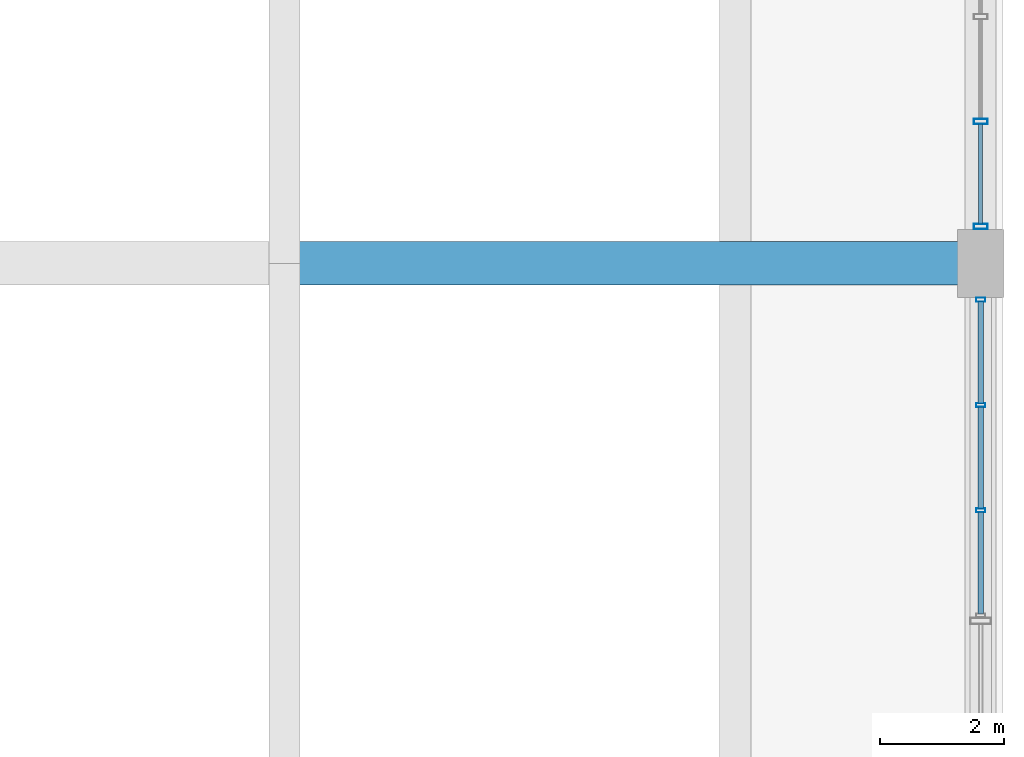
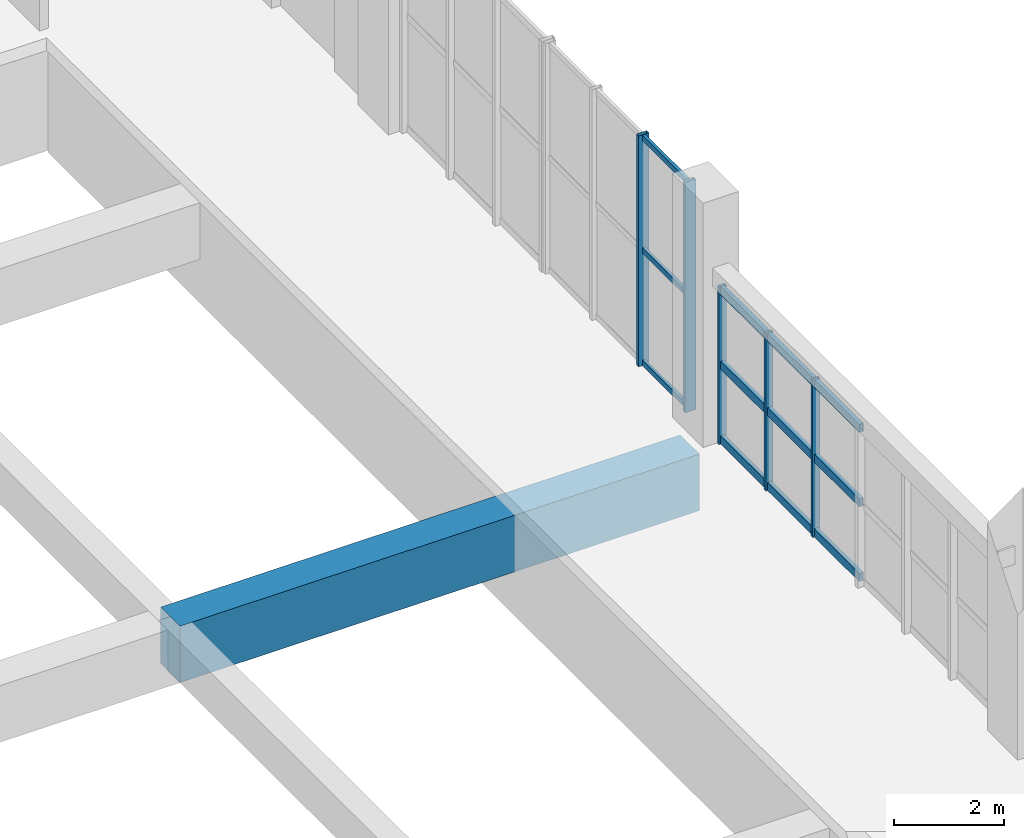
# One storey, part 66 of 113: 17 members, 1 beam, 2 elements without a shape of their own.
"""IFC4 building model written with IfcOpenShell, lengths in metres."""

from ifc_helpers import new_model, si_unit, direction, frame, origin, origin_2d, place, context, subcontext, project, spatial, rectangle, hollow_rectangle, extrude, material, layer, layer_set, material_profile, profile_set, type_object, element, aggregate, save


model = new_model("IFC4")

# Units and contexts
model_context = context("Model", 3, precision=1e-05, world=origin(), true_north=direction((0.0, 1.0)))
body_context = subcontext(model_context, "Body", "Model", "MODEL_VIEW")
ifc_project = project(units=[si_unit("LENGTHUNIT", "METRE"), si_unit("AREAUNIT", "SQUARE_METRE"), si_unit("VOLUMEUNIT", "CUBIC_METRE"), si_unit("PLANEANGLEUNIT", "RADIAN"), si_unit("MASSUNIT", "GRAM", prefix="KILO"), si_unit("POWERUNIT", "WATT"), si_unit("THERMODYNAMICTEMPERATUREUNIT", "KELVIN")], contexts=[model_context])

# Site, building, storey
site_placement = place(None, origin())
site = spatial("IfcSite", under=ifc_project, at=site_placement, CompositionType="ELEMENT")
building_placement = place(site_placement, origin())
building = spatial("IfcBuilding", under=site, at=building_placement, Name="Kelmbourne Parkland Aquatics Centre", CompositionType="ELEMENT")
storey_placement = place(building_placement, origin())
storey = spatial("IfcBuildingStorey", under=building, at=storey_placement, Name="L00", CompositionType="ELEMENT", Elevation=0.0)

# Beam
ifc_material_1 = material(Name="Concrete C50/60", Category="concrete")
ifc_material_profile_1 = material_profile(ifc_material_1, rectangle(XDim=0.699951171875, YDim=1.25, at=origin_2d()), Name="RC 700x1250")
ifc_profile_set_1 = profile_set([ifc_material_profile_1], Name="Concrete C50/60")
beam_type = type_object("IfcBeamType", Name="BM-G08", PredefinedType="BEAM", material=ifc_profile_set_1)
beam_placement = place(storey_placement, frame((164.0, 69.199951171875, -0.905029296875), z_axis=(1.0, 0.0, 0.0), x_axis=(0.0, 1.0, 0.0)))
element("IfcBeam", 1, at=beam_placement, inside=storey, type_object=beam_type, Name="Primary girder S-T Grid 10 (L00)", PredefinedType="BEAM", context=body_context, shape_type="SweptSolid", body=[
    extrude(rectangle(XDim=0.699951171875, YDim=1.25, at=origin_2d()), origin(), (0.0, 0.0, 1.0), 10.8701171875),
])

# Curtain wall, members
ifc_material_2 = material(Name="Thermally broken anodised aluminium framing", Category="aluminium")
ifc_layer_1 = layer(ifc_material_2, 0.179931640625)
ifc_layer_set_1 = layer_set([ifc_layer_1], Name="Thermally broken anodised aluminium framing")
curtain_wall_type_1 = type_object("IfcCurtainWallType", Name="CW-02", PredefinedType="NOTDEFINED", material=ifc_layer_set_1)
curtain_wall_1_placement = place(storey_placement, origin())
curtain_wall_1 = element("IfcCurtainWall", 2, at=curtain_wall_1_placement, inside=storey, type_object=curtain_wall_type_1, Name="Facade curtain wall CW-L00-050", PredefinedType="NOTDEFINED")
ifc_material_profile_2 = material_profile(ifc_material_2, hollow_rectangle(XDim=0.06494140625, YDim=0.14990234375, WallThickness=0.00390625, at=origin_2d()), Name="CW-M 65x150")
ifc_profile_set_2 = profile_set([ifc_material_profile_2], Name="Thermally broken anodised aluminium framing")
member_type_1 = type_object("IfcMemberType", Name="MB-MUL-1", PredefinedType="MULLION", material=ifc_profile_set_2)
member_1_placement = place(storey_placement, frame((175.199951171875, 65.226806640625, 0.0), z_axis=(0.0, 0.0, 1.0), x_axis=(0.0, 1.0, 0.0)))
member_1 = element("IfcMember", 3, at=member_1_placement, type_object=member_type_1, Name="CW-L00-050 mullion 1", PredefinedType="MULLION", context=body_context, shape_type="SweptSolid", body=[
    extrude(hollow_rectangle(XDim=0.06494140625, YDim=0.14990234375, WallThickness=0.00390625, at=origin_2d()), origin(), (0.0, 0.0, 1.0), 3.485107421875),
])
member_2_placement = place(storey_placement, frame((175.199951171875, 66.921142578125, 0.0), z_axis=(0.0, 0.0, 1.0), x_axis=(0.0, 1.0, 0.0)))
member_2 = element("IfcMember", 4, at=member_2_placement, type_object=member_type_1, Name="CW-L00-050 mullion 2", PredefinedType="MULLION", context=body_context, shape_type="SweptSolid", body=[
    extrude(hollow_rectangle(XDim=0.06494140625, YDim=0.14990234375, WallThickness=0.00390625, at=origin_2d()), origin(), (0.0, 0.0, 1.0), 3.485107421875),
])
member_3_placement = place(storey_placement, frame((175.199951171875, 68.615478515625, 0.0), z_axis=(0.0, 0.0, 1.0), x_axis=(0.0, 1.0, 0.0)))
member_3 = element("IfcMember", 5, at=member_3_placement, type_object=member_type_1, Name="CW-L00-050 mullion 3", PredefinedType="MULLION", context=body_context, shape_type="SweptSolid", body=[
    extrude(hollow_rectangle(XDim=0.06494140625, YDim=0.14990234375, WallThickness=0.00390625, at=origin_2d()), origin(), (0.0, 0.0, 1.0), 3.485107421875),
])

ifc_layer_2 = layer(ifc_material_2, 0.179931640625)
ifc_layer_set_2 = layer_set([ifc_layer_2], Name="Thermally broken anodised aluminium framing")
curtain_wall_type_2 = type_object("IfcCurtainWallType", Name="CW-09", PredefinedType="NOTDEFINED", material=ifc_layer_set_2)
curtain_wall_2_placement = place(storey_placement, origin())
curtain_wall_2 = element("IfcCurtainWall", 6, at=curtain_wall_2_placement, inside=storey, type_object=curtain_wall_type_2, Name="Facade curtain wall CW-L00-057", PredefinedType="NOTDEFINED")
ifc_material_profile_3 = material_profile(ifc_material_2, hollow_rectangle(XDim=0.0849609375, YDim=0.219970703125, WallThickness=0.0048828125, at=origin_2d()), Name="CW-M 85x220")
ifc_profile_set_3 = profile_set([ifc_material_profile_3], Name="Thermally broken anodised aluminium framing")
member_type_2 = type_object("IfcMemberType", Name="MB-MUL-3", PredefinedType="MULLION", material=ifc_profile_set_3)
member_4_placement = place(storey_placement, frame((175.199951171875, 69.79443359375, 0.0), z_axis=(0.0, 0.0, 1.0), x_axis=(0.0, 1.0, 0.0)))
member_4 = element("IfcMember", 7, at=member_4_placement, type_object=member_type_2, Name="CW-L00-057 mullion 0", PredefinedType="MULLION", context=body_context, shape_type="SweptSolid", body=[
    extrude(hollow_rectangle(XDim=0.0849609375, YDim=0.219970703125, WallThickness=0.0048828125, at=origin_2d()), origin(), (0.0, 0.0, 1.0), 5.10009765625),
])
member_5_placement = place(storey_placement, frame((175.199951171875, 71.482177734375, 0.0), z_axis=(0.0, 0.0, 1.0), x_axis=(0.0, 1.0, 0.0)))
member_5 = element("IfcMember", 8, at=member_5_placement, type_object=member_type_2, Name="CW-L00-057 mullion 1", PredefinedType="MULLION", context=body_context, shape_type="SweptSolid", body=[
    extrude(hollow_rectangle(XDim=0.0849609375, YDim=0.219970703125, WallThickness=0.0048828125, at=origin_2d()), origin(), (0.0, 0.0, 1.0), 5.10009765625),
])
ifc_material_profile_4 = material_profile(ifc_material_2, hollow_rectangle(XDim=0.06494140625, YDim=0.1201171875, WallThickness=0.00341796875, at=origin_2d()), Name="CW-T 65x120")
ifc_profile_set_4 = profile_set([ifc_material_profile_4], Name="Thermally broken anodised aluminium framing")
member_type_3 = type_object("IfcMemberType", Name="MB-TRN-1", PredefinedType="USERDEFINED", material=ifc_profile_set_4)
member_6_placement = place(storey_placement, frame((175.199951171875, 69.8330078125, 0.06298828125), z_axis=(0.0, 1.0, 0.0), x_axis=(-1.0, 0.0, 0.0)))
member_6 = element("IfcMember", 9, at=member_6_placement, type_object=member_type_3, Name="CW-L00-057 transom 0-0", ObjectType="TRANSOM", PredefinedType="USERDEFINED", context=body_context, shape_type="SweptSolid", body=[
    extrude(hollow_rectangle(XDim=0.06494140625, YDim=0.1201171875, WallThickness=0.00341796875, at=origin_2d()), origin(), (0.0, 0.0, 1.0), 1.610595703125),
])
member_7_placement = place(storey_placement, frame((175.199951171875, 69.8330078125, 2.550048828125), z_axis=(0.0, 1.0, 0.0), x_axis=(-1.0, 0.0, 0.0)))
member_7 = element("IfcMember", 10, at=member_7_placement, type_object=member_type_3, Name="CW-L00-057 transom 1-0", ObjectType="TRANSOM", PredefinedType="USERDEFINED", context=body_context, shape_type="SweptSolid", body=[
    extrude(hollow_rectangle(XDim=0.06494140625, YDim=0.1201171875, WallThickness=0.00341796875, at=origin_2d()), origin(), (0.0, 0.0, 1.0), 1.610595703125),
])
member_8_placement = place(storey_placement, frame((175.199951171875, 69.8330078125, 5.037109375), z_axis=(0.0, 1.0, 0.0), x_axis=(-1.0, 0.0, 0.0)))
member_8 = element("IfcMember", 11, at=member_8_placement, type_object=member_type_3, Name="CW-L00-057 transom 2-0", ObjectType="TRANSOM", PredefinedType="USERDEFINED", context=body_context, shape_type="SweptSolid", body=[
    extrude(hollow_rectangle(XDim=0.06494140625, YDim=0.1201171875, WallThickness=0.00341796875, at=origin_2d()), origin(), (0.0, 0.0, 1.0), 1.610595703125),
])
aggregate(curtain_wall_2, [member_4, member_5, member_6, member_7, member_8])

# Member
ifc_material_profile_5 = material_profile(ifc_material_2, hollow_rectangle(XDim=0.0849609375, YDim=0.179931640625, WallThickness=0.00439453125, at=origin_2d()), Name="CW-T 85x180")
ifc_profile_set_5 = profile_set([ifc_material_profile_5], Name="Thermally broken anodised aluminium framing")
member_type_4 = type_object("IfcMemberType", Name="MB-TRN-3", PredefinedType="USERDEFINED", material=ifc_profile_set_5)
member_9_placement = place(storey_placement, frame((175.199951171875, 63.56103515625, 0.093017578125), z_axis=(0.0, 1.0, 0.0), x_axis=(-1.0, 0.0, 0.0)))
member_9 = element("IfcMember", 12, at=member_9_placement, type_object=member_type_4, Name="CW-L00-050 transom 0-0", ObjectType="TRANSOM", PredefinedType="USERDEFINED", context=body_context, shape_type="SweptSolid", body=[
    extrude(hollow_rectangle(XDim=0.0849609375, YDim=0.179931640625, WallThickness=0.00439453125, at=origin_2d()), origin(), (0.0, 0.0, 1.0), 1.63720703125),
])

member_10_placement = place(storey_placement, frame((175.199951171875, 65.25537109375, 0.093017578125), z_axis=(0.0, 1.0, 0.0), x_axis=(-1.0, 0.0, 0.0)))
member_10 = element("IfcMember", 13, at=member_10_placement, type_object=member_type_4, Name="CW-L00-050 transom 0-1", ObjectType="TRANSOM", PredefinedType="USERDEFINED", context=body_context, shape_type="SweptSolid", body=[
    extrude(hollow_rectangle(XDim=0.0849609375, YDim=0.179931640625, WallThickness=0.00439453125, at=origin_2d()), origin(), (0.0, 0.0, 1.0), 1.63720703125),
])

member_11_placement = place(storey_placement, frame((175.199951171875, 66.94970703125, 0.093017578125), z_axis=(0.0, 1.0, 0.0), x_axis=(-1.0, 0.0, 0.0)))
member_11 = element("IfcMember", 14, at=member_11_placement, type_object=member_type_4, Name="CW-L00-050 transom 0-2", ObjectType="TRANSOM", PredefinedType="USERDEFINED", context=body_context, shape_type="SweptSolid", body=[
    extrude(hollow_rectangle(XDim=0.0849609375, YDim=0.179931640625, WallThickness=0.00439453125, at=origin_2d()), origin(), (0.0, 0.0, 1.0), 1.63720703125),
])

member_12_placement = place(storey_placement, frame((175.199951171875, 63.56103515625, 1.742431640625), z_axis=(0.0, 1.0, 0.0), x_axis=(-1.0, 0.0, 0.0)))
member_12 = element("IfcMember", 15, at=member_12_placement, type_object=member_type_4, Name="CW-L00-050 transom 1-0", ObjectType="TRANSOM", PredefinedType="USERDEFINED", context=body_context, shape_type="SweptSolid", body=[
    extrude(hollow_rectangle(XDim=0.0849609375, YDim=0.179931640625, WallThickness=0.00439453125, at=origin_2d()), origin(), (0.0, 0.0, 1.0), 1.63720703125),
])

member_13_placement = place(storey_placement, frame((175.199951171875, 65.25537109375, 1.742431640625), z_axis=(0.0, 1.0, 0.0), x_axis=(-1.0, 0.0, 0.0)))
member_13 = element("IfcMember", 16, at=member_13_placement, type_object=member_type_4, Name="CW-L00-050 transom 1-1", ObjectType="TRANSOM", PredefinedType="USERDEFINED", context=body_context, shape_type="SweptSolid", body=[
    extrude(hollow_rectangle(XDim=0.0849609375, YDim=0.179931640625, WallThickness=0.00439453125, at=origin_2d()), origin(), (0.0, 0.0, 1.0), 1.63720703125),
])

member_14_placement = place(storey_placement, frame((175.199951171875, 66.94970703125, 1.742431640625), z_axis=(0.0, 1.0, 0.0), x_axis=(-1.0, 0.0, 0.0)))
member_14 = element("IfcMember", 17, at=member_14_placement, type_object=member_type_4, Name="CW-L00-050 transom 1-2", ObjectType="TRANSOM", PredefinedType="USERDEFINED", context=body_context, shape_type="SweptSolid", body=[
    extrude(hollow_rectangle(XDim=0.0849609375, YDim=0.179931640625, WallThickness=0.00439453125, at=origin_2d()), origin(), (0.0, 0.0, 1.0), 1.63720703125),
])

member_15_placement = place(storey_placement, frame((175.199951171875, 63.56103515625, 3.39208984375), z_axis=(0.0, 1.0, 0.0), x_axis=(-1.0, 0.0, 0.0)))
member_15 = element("IfcMember", 18, at=member_15_placement, type_object=member_type_4, Name="CW-L00-050 transom 2-0", ObjectType="TRANSOM", PredefinedType="USERDEFINED", context=body_context, shape_type="SweptSolid", body=[
    extrude(hollow_rectangle(XDim=0.0849609375, YDim=0.179931640625, WallThickness=0.00439453125, at=origin_2d()), origin(), (0.0, 0.0, 1.0), 1.63720703125),
])

member_16_placement = place(storey_placement, frame((175.199951171875, 65.25537109375, 3.39208984375), z_axis=(0.0, 1.0, 0.0), x_axis=(-1.0, 0.0, 0.0)))
member_16 = element("IfcMember", 19, at=member_16_placement, type_object=member_type_4, Name="CW-L00-050 transom 2-1", ObjectType="TRANSOM", PredefinedType="USERDEFINED", context=body_context, shape_type="SweptSolid", body=[
    extrude(hollow_rectangle(XDim=0.0849609375, YDim=0.179931640625, WallThickness=0.00439453125, at=origin_2d()), origin(), (0.0, 0.0, 1.0), 1.63720703125),
])

member_17_placement = place(storey_placement, frame((175.199951171875, 66.94970703125, 3.39208984375), z_axis=(0.0, 1.0, 0.0), x_axis=(-1.0, 0.0, 0.0)))
member_17 = element("IfcMember", 20, at=member_17_placement, type_object=member_type_4, Name="CW-L00-050 transom 2-2", ObjectType="TRANSOM", PredefinedType="USERDEFINED", context=body_context, shape_type="SweptSolid", body=[
    extrude(hollow_rectangle(XDim=0.0849609375, YDim=0.179931640625, WallThickness=0.00439453125, at=origin_2d()), origin(), (0.0, 0.0, 1.0), 1.63720703125),
])

aggregate(curtain_wall_1, [member_1, member_2, member_3, member_9, member_10, member_11, member_12, member_13, member_14, member_15, member_16, member_17])

save(model, "model.ifc")
